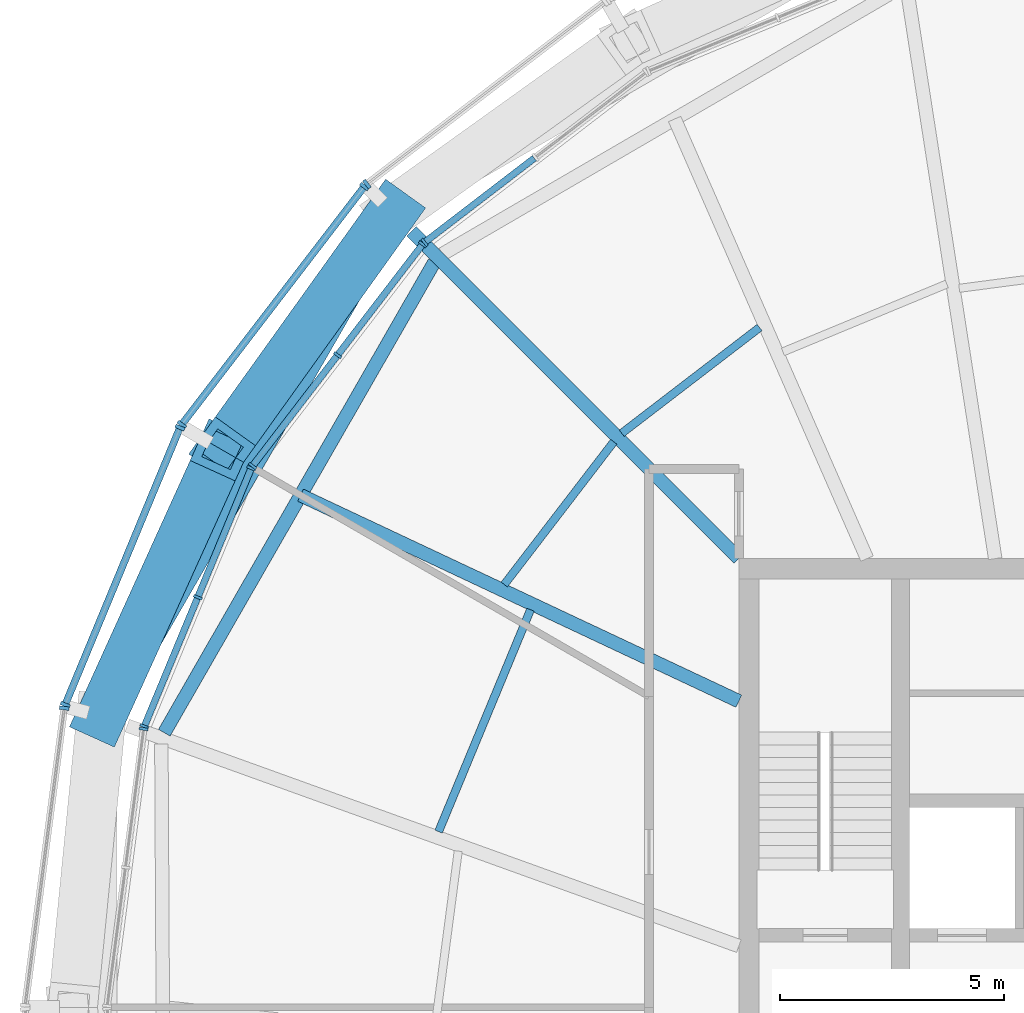
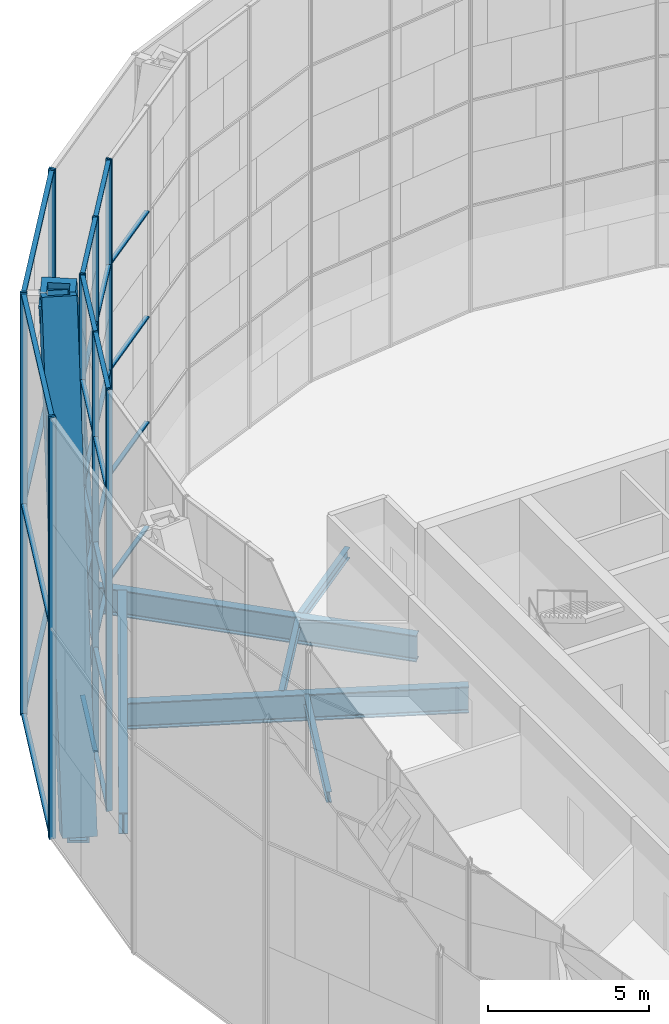
# One storey, part 8 of 30: 46 members, 7 beams, 8 elements without a shape of their own.
"""IFC4 building model written with IfcOpenShell, lengths in metres."""

import ifcopenshell
import ifcopenshell.guid

model = None  # the IFC model being written
_history = None  # IfcOwnerHistory: only IFC2X3 demands one
_inside = {}  # id of a spatial element -> (the spatial element, [elements in it])
_under = {}  # id of a project, library or spatial element -> (it, [spatial elements below it])
_declared = {}  # id of a project -> (the project, [libraries it declares])
_typed = {}  # id of a type object -> (the type object, [elements of that type])
_made_of = {}  # id of a material, layer set ... -> (it, [elements and type objects made of it])


def new_model(schema):
    """Start an empty IFC model of exactly this schema.

    Asked for "IFC4X3", IfcOpenShell would pick the latest addendum, in which some entities
    have other attributes; the version numbers below select the first issue.
    IFC2X3 requires an IfcOwnerHistory on every rooted entity: one is made here for all.
    """
    global model, _history
    if schema == "IFC4X3":
        model = ifcopenshell.file(schema_version=(4, 3, 0, 0))
    else:
        model = ifcopenshell.file(schema=schema)
    _inside.clear()
    _under.clear()
    _declared.clear()
    _typed.clear()
    _made_of.clear()
    _history = None
    if model.schema == "IFC2X3":
        org = make("IfcOrganization", Name="unknown")
        user = make(
            "IfcPersonAndOrganization",
            ThePerson=make("IfcPerson", FamilyName="unknown"),
            TheOrganization=org,
        )
        app = make(
            "IfcApplication",
            ApplicationDeveloper=org,
            Version="unknown",
            ApplicationFullName="unknown",
            ApplicationIdentifier="unknown",
        )
        _history = make(
            "IfcOwnerHistory",
            OwningUser=user,
            OwningApplication=app,
            ChangeAction="ADDED",
            CreationDate=0,
        )
    return model


def make(cls, **values):
    """One entity of the class cls with the attributes given. An attribute that is None is left unset."""
    return model.create_entity(
        cls, **{name: value for name, value in values.items() if value is not None}
    )


def rooted(cls, **values):
    """An entity with a GlobalId (a new one), such as an element, a storey or a relation."""
    return make(cls, GlobalId=ifcopenshell.guid.new(), OwnerHistory=_history, **values)


def si_unit(unit_type, name, prefix=None):
    """IfcSIUnit, for example si_unit("LENGTHUNIT", "METRE", prefix="MILLI")."""
    return make("IfcSIUnit", UnitType=unit_type, Prefix=prefix, Name=name)


def assignment(units):
    """IfcUnitAssignment: the units of a project."""
    return None if units is None else make("IfcUnitAssignment", Units=units)


def point(xyz):
    """IfcCartesianPoint."""
    return None if xyz is None else make("IfcCartesianPoint", Coordinates=xyz)


def direction(xyz):
    """IfcDirection."""
    return None if xyz is None else make("IfcDirection", DirectionRatios=xyz)


def frame(location, z_axis=None, x_axis=None):
    """IfcAxis2Placement3D, a coordinate frame: its origin and axes. An axis left out is left unset."""
    return make(
        "IfcAxis2Placement3D",
        Location=point(location),
        Axis=direction(z_axis),
        RefDirection=direction(x_axis),
    )


def frame_2d(location, x_axis=None):
    """IfcAxis2Placement2D, a coordinate frame in the plane: its origin and x axis."""
    return make(
        "IfcAxis2Placement2D", Location=point(location), RefDirection=direction(x_axis)
    )


def origin():
    """The frame at (0, 0, 0) with its axes left unset."""
    return frame((0.0, 0.0, 0.0))


def origin_2d():
    """The frame at (0, 0) in the plane with its x axis left unset."""
    return frame_2d((0.0, 0.0))


def place(relative_to, where):
    """IfcLocalPlacement: puts the frame where relative to a parent placement (None: the world)."""
    return make(
        "IfcLocalPlacement", PlacementRelTo=relative_to, RelativePlacement=where
    )


def context(
    kind, dimensions, precision=None, world=None, true_north=None, identifier=None
):
    """IfcGeometricRepresentationContext, for example the 3D "Model" context."""
    return make(
        "IfcGeometricRepresentationContext",
        ContextIdentifier=identifier,
        ContextType=kind,
        CoordinateSpaceDimension=dimensions,
        Precision=precision,
        WorldCoordinateSystem=world,
        TrueNorth=true_north,
    )


def subcontext(parent, identifier, kind, view, scale=None):
    """IfcGeometricRepresentationSubContext, for example "Body" below "Model"."""
    return make(
        "IfcGeometricRepresentationSubContext",
        ContextIdentifier=identifier,
        ContextType=kind,
        ParentContext=parent,
        TargetScale=scale,
        TargetView=view,
    )


def project(units=None, contexts=None):
    """IfcProject with its units and contexts."""
    return rooted(
        "IfcProject",
        Name="project",
        RepresentationContexts=contexts,
        UnitsInContext=assignment(units),
    )


def spatial(cls, under=None, at=None, **own):
    """A site, building, storey or space (cls), placed at a placement, below another one or the project."""
    s = rooted(cls, ObjectPlacement=at, **own)
    if under is not None:
        _under.setdefault(under.id(), (under, []))[1].append(s)
    return s


def profile(cls, at=None, kind="AREA", **sizes):
    """A parametric profile (cls). Its sizes go by their IFC names, for example OverallWidth=200.0."""
    return make(cls, ProfileType=kind, Position=at, **sizes)


def rectangle(**sizes):
    """IfcRectangleProfileDef."""
    return profile("IfcRectangleProfileDef", **sizes)


def hollow_rectangle(**sizes):
    """IfcRectangleHollowProfileDef."""
    return profile("IfcRectangleHollowProfileDef", **sizes)


def i_section(**sizes):
    """IfcIShapeProfileDef."""
    return profile("IfcIShapeProfileDef", **sizes)


def extrude(swept, where, along, depth):
    """IfcExtrudedAreaSolid: the profile swept, set in the frame where, extruded along a direction by depth."""
    return make(
        "IfcExtrudedAreaSolid",
        SweptArea=swept,
        Position=where,
        ExtrudedDirection=direction(along),
        Depth=depth,
    )


def shape(context_of_items, identifier, shape_type, items):
    """IfcShapeRepresentation: the items that make up one representation, for example the "Body"."""
    return make(
        "IfcShapeRepresentation",
        ContextOfItems=context_of_items,
        RepresentationIdentifier=identifier,
        RepresentationType=shape_type,
        Items=items,
    )


def material(Name=None, Category=None):
    """IfcMaterial."""
    return make("IfcMaterial", Name=Name, Category=Category)


def material_profile(
    of_material, cross_section, Name=None, Category=None, Priority=None
):
    """IfcMaterialProfile: a cross section and its material."""
    return make(
        "IfcMaterialProfile",
        Name=Name,
        Material=of_material,
        Profile=cross_section,
        Priority=Priority,
        Category=Category,
    )


def profile_set(profiles, Name=None, composite=None):
    """IfcMaterialProfileSet."""
    return make(
        "IfcMaterialProfileSet",
        Name=Name,
        MaterialProfiles=profiles,
        CompositeProfile=composite,
    )


def made_of(thing, what):
    """Note that an element or type object is made of a material, layer set ...; save() writes the relation."""
    if what is not None:
        _made_of.setdefault(what.id(), (what, []))[1].append(thing)
    return thing


def type_object(cls, material=None, **own):
    """A type object (cls), such as IfcWallType, which elements share."""
    return made_of(rooted(cls, **own), material)


def element(
    cls,
    number,
    at=None,
    inside=None,
    cuts=None,
    type_object=None,
    material=None,
    context=None,
    identifier="Body",
    shape_type=None,
    held_by="IfcProductDefinitionShape",
    body=None,
    shapes=None,
    **own,
):
    """One element of the class cls, such as IfcWall. Its Tag is "e" and its number.

    at: its placement. inside: the storey or other place that contains it. cuts: it is an
    opening in that element (IfcRelVoidsElement). A single representation is given by context,
    identifier, shape_type and body (its items); several are given by shapes. held_by: the class
    of the entity that holds the representations. save() writes the other relations.
    """
    e = rooted(cls, Tag="e%d" % number, ObjectPlacement=at, **own)
    if body is not None:
        shapes = [shape(context, identifier, shape_type, body)]
    if shapes is not None:
        e.Representation = make(held_by, Representations=shapes)
    if inside is not None:
        _inside.setdefault(inside.id(), (inside, []))[1].append(e)
    if cuts is not None:
        rooted(
            "IfcRelVoidsElement", RelatingBuildingElement=cuts, RelatedOpeningElement=e
        )
    if type_object is not None:
        _typed.setdefault(type_object.id(), (type_object, []))[1].append(e)
    return made_of(e, material)


def aggregate(whole, parts):
    """IfcRelAggregates: a whole, such as a stair, and the parts it consists of."""
    return rooted("IfcRelAggregates", RelatingObject=whole, RelatedObjects=parts)


def save(model, path):
    """Write the relations noted so far, then the file.

    IfcRelAggregates (storeys below a building ...), IfcRelContainedInSpatialStructure (elements
    in a storey), IfcRelDefinesByType, IfcRelAssociatesMaterial and IfcRelDeclares: one each for
    every whole, place, type object, material and project.
    """
    for whole, parts in _under.values():
        aggregate(whole, parts)
    for where, things in _inside.values():
        rooted(
            "IfcRelContainedInSpatialStructure",
            RelatedElements=things,
            RelatingStructure=where,
        )
    for kind, things in _typed.values():
        rooted("IfcRelDefinesByType", RelatedObjects=things, RelatingType=kind)
    for what, things in _made_of.values():
        rooted("IfcRelAssociatesMaterial", RelatedObjects=things, RelatingMaterial=what)
    for by, libraries in _declared.values():
        rooted("IfcRelDeclares", RelatingContext=by, RelatedDefinitions=libraries)
    model.write(path)


model = new_model("IFC4")

# Units and contexts
model_context = context("Model", 3, precision=1e-05, world=origin(), true_north=direction((0.0, 1.0)))
body_context = subcontext(model_context, "Body", "Model", "MODEL_VIEW")
ifc_project = project(units=[si_unit("LENGTHUNIT", "METRE"), si_unit("AREAUNIT", "SQUARE_METRE"), si_unit("VOLUMEUNIT", "CUBIC_METRE"), si_unit("PLANEANGLEUNIT", "RADIAN"), si_unit("MASSUNIT", "GRAM", prefix="KILO")], contexts=[model_context])

# Site, building, storey
site_placement = place(None, origin())
site = spatial("IfcSite", under=ifc_project, at=site_placement, CompositionType="ELEMENT")
building_placement = place(site_placement, origin())
building = spatial("IfcBuilding", under=site, at=building_placement, Name="Golbaran Civic Tower", CompositionType="ELEMENT")
storey_placement = place(building_placement, frame((0.0, 0.0, 167.0)))
storey = spatial("IfcBuildingStorey", under=building, at=storey_placement, Name="L40", CompositionType="ELEMENT", Elevation=167.0)

# Members
ifc_material_1 = material(Name="Steel S355", Category="steel")
ifc_material_profile_1 = material_profile(ifc_material_1, hollow_rectangle(XDim=1.10009765625, YDim=1.10009765625, WallThickness=0.199951171875, at=origin_2d()), Name="BOX 1100x1100x200")
ifc_profile_set_1 = profile_set([ifc_material_profile_1], Name="Steel S355")
member_type_1 = type_object("IfcMemberType", Name="DIAGRID DIAGONAL BOX 1100x1100x200", PredefinedType="BRACE", material=ifc_profile_set_1)
member_1_placement = place(storey_placement, frame((-17.72216796875, 17.72216796875, -0.7099609375), z_axis=(-0.21971220084, -0.306689856884, 0.926103601379), x_axis=(0.812920273386, -0.582374990121, 0.0)))
element("IfcMember", 1, at=member_1_placement, inside=storey, type_object=member_type_1, Name="Diagonal D09-04R L40-L44", PredefinedType="BRACE", context=body_context, shape_type="SweptSolid", body=[
    extrude(hollow_rectangle(XDim=1.10009765625, YDim=1.10009765625, WallThickness=0.199951171875, at=origin_2d()), origin(), (0.0, 0.0, 1.0), 17.276611328125),
])
member_2_placement = place(storey_placement, frame((-24.208984375, 6.48681640625, -0.7099609375), z_axis=(0.155753672162, 0.343627476497, 0.926099860169), x_axis=(-0.910805936997, 0.412834767347, 0.0)))
element("IfcMember", 2, at=member_2_placement, inside=storey, type_object=member_type_1, Name="Diagonal D09-05L L40-L44", PredefinedType="BRACE", context=body_context, shape_type="SweptSolid", body=[
    extrude(hollow_rectangle(XDim=1.10009765625, YDim=1.10009765625, WallThickness=0.199951171875, at=origin_2d()), origin(), (0.0, 0.0, 1.0), 17.27685546875),
])

# Beams
ifc_material_profile_2 = material_profile(ifc_material_1, hollow_rectangle(XDim=0.699951171875, YDim=0.699951171875, WallThickness=0.080078125, at=origin_2d()), Name="BOX 700x700x80")
ifc_profile_set_2 = profile_set([ifc_material_profile_2], Name="Steel S355")
beam_type_1 = type_object("IfcBeamType", Name="DIAGRID RING TIE BOX 700x700x80", PredefinedType="BEAM", material=ifc_profile_set_2)
beam_1_placement = place(storey_placement, frame((-17.72216796875, 17.72216796875, -0.7099609375), z_axis=(-0.50000480732, -0.866022628259, 0.0), x_axis=(0.866022628259, -0.50000480732, 0.0)))
element("IfcBeam", 3, at=beam_1_placement, inside=storey, type_object=beam_type_1, Name="Ring tie 135.00 L40", PredefinedType="BEAM", context=body_context, shape_type="SweptSolid", body=[
    extrude(hollow_rectangle(XDim=0.699951171875, YDim=0.699951171875, WallThickness=0.080078125, at=origin_2d()), origin(), (0.0, 0.0, 1.0), 12.973388671875),
])
ifc_material_profile_3 = material_profile(ifc_material_1, i_section(OverallWidth=0.300048828125, OverallDepth=0.800048828125, WebThickness=0.017578125, FlangeThickness=0.032958984375, FilletRadius=0.030029296875, at=origin_2d()), Name="HEB 800")
ifc_profile_set_3 = profile_set([ifc_material_profile_3], Name="Steel S355")
beam_type_2 = type_object("IfcBeamType", Name="EDGE BEAM HEB 800", PredefinedType="BEAM", material=ifc_profile_set_3)
beam_2_placement = place(storey_placement, frame((-16.7880859375, 16.604248046875, -0.60009765625), z_axis=(-0.497795229044, -0.867294592363, 0.0), x_axis=(0.867294592363, -0.497795229044, 0.0)))
element("IfcBeam", 4, at=beam_2_placement, inside=storey, type_object=beam_type_2, Name="Edge beam 135.00 L40", PredefinedType="BEAM", context=body_context, shape_type="SweptSolid", body=[
    extrude(i_section(OverallWidth=0.300048828125, OverallDepth=0.800048828125, WebThickness=0.017578125, FlangeThickness=0.032958984375, FilletRadius=0.030029296875, at=origin_2d()), origin(), (0.0, 0.0, 1.0), 12.08935546875),
])
ifc_material_profile_4 = material_profile(ifc_material_1, i_section(OverallWidth=0.179931640625, OverallDepth=0.39990234375, WebThickness=0.008544921875, FlangeThickness=0.013427734375, FilletRadius=0.02099609375, at=origin_2d()), Name="IPE 400")
ifc_profile_set_4 = profile_set([ifc_material_profile_4], Name="Steel S355")
beam_type_3 = type_object("IfcBeamType", Name="FLOOR INFILL BEAM IPE 400", PredefinedType="BEAM", material=ifc_profile_set_4)
beam_3_placement = place(storey_placement, frame((-9.53857421875, 15.150634765625, -0.39990234375), z_axis=(-0.793375902888, -0.608732023732, 0.0), x_axis=(0.608732023732, -0.793375902888, 0.0)))
element("IfcBeam", 5, at=beam_3_placement, inside=storey, type_object=beam_type_3, Name="Infill beam 127.50 L40", PredefinedType="BEAM", context=body_context, shape_type="SweptSolid", body=[
    extrude(i_section(OverallWidth=0.179931640625, OverallDepth=0.39990234375, WebThickness=0.008544921875, FlangeThickness=0.013427734375, FilletRadius=0.02099609375, at=origin_2d()), origin(), (0.0, 0.0, 1.0), 3.87158203125),
])
beam_4_placement = place(storey_placement, frame((-12.787353515625, 12.603515625, -0.39990234375), z_axis=(-0.608780463794, -0.793338734024, 0.0), x_axis=(0.793338734024, -0.608780463794, 0.0)))
element("IfcBeam", 6, at=beam_4_placement, inside=storey, type_object=beam_type_3, Name="Infill beam 142.50 L40", PredefinedType="BEAM", context=body_context, shape_type="SweptSolid", body=[
    extrude(i_section(OverallWidth=0.179931640625, OverallDepth=0.39990234375, WebThickness=0.008544921875, FlangeThickness=0.013427734375, FilletRadius=0.02099609375, at=origin_2d()), origin(), (0.0, 0.0, 1.0), 4.009521484375),
])
beam_5_placement = place(storey_placement, frame((-14.643310546875, 8.860595703125, -0.39990234375), z_axis=(-0.382694171456, -0.923875084161, 0.0), x_axis=(0.923875084161, -0.382694171456, 0.0)))
element("IfcBeam", 7, at=beam_5_placement, inside=storey, type_object=beam_type_3, Name="Infill beam 157.50 L40", PredefinedType="BEAM", context=body_context, shape_type="SweptSolid", body=[
    extrude(i_section(OverallWidth=0.179931640625, OverallDepth=0.39990234375, WebThickness=0.008544921875, FlangeThickness=0.013427734375, FilletRadius=0.02099609375, at=origin_2d()), origin(), (0.0, 0.0, 1.0), 5.35302734375),
])

# Curtain wall, member
ifc_material_2 = material(Name="Aluminium and glass", Category="aluminium")
curtain_wall_type_1 = type_object("IfcCurtainWallType", Name="INNER SKIN CURTAIN WALL EXECUTIVE", PredefinedType="NOTDEFINED", material=ifc_material_2)
curtain_wall_1_placement = place(storey_placement, origin())
curtain_wall_1 = element("IfcCurtainWall", 8, at=curtain_wall_1_placement, inside=storey, type_object=curtain_wall_type_1, Name="Inner skin L40 facet 9 CW2", ObjectType="INNER SKIN", PredefinedType="USERDEFINED")
ifc_material_3 = material(Name="Aluminium", Category="aluminium")
ifc_material_profile_5 = material_profile(ifc_material_3, rectangle(XDim=0.199951171875, YDim=0.06005859375, at=origin_2d()), Name="INNER SKIN CURTAIN WALL EXECUTIVE MULLION")
ifc_profile_set_5 = profile_set([ifc_material_profile_5], Name="Aluminium")
member_type_2 = type_object("IfcMemberType", Name="INNER SKIN CURTAIN WALL EXECUTIVE MULLION", PredefinedType="MULLION", material=ifc_profile_set_5)
member_3_placement = place(storey_placement, frame((-17.00537109375, 17.047607421875, 0.0), z_axis=(0.0, 0.0, 1.0), x_axis=(0.608761429036, -0.79335334027, 0.0)))
member_3 = element("IfcMember", 9, at=member_3_placement, type_object=member_type_2, Name="CW2 mullion 3", PredefinedType="MULLION", context=body_context, shape_type="SweptSolid", body=[
    extrude(rectangle(XDim=0.199951171875, YDim=0.06005859375, at=origin_2d()), origin(), (0.0, 0.0, 1.0), 16.0),
])

# Curtain wall, members
curtain_wall_2_placement = place(storey_placement, origin())
curtain_wall_2 = element("IfcCurtainWall", 10, at=curtain_wall_2_placement, inside=storey, type_object=curtain_wall_type_1, Name="Inner skin L40 facet 10 CW2", ObjectType="INNER SKIN", PredefinedType="USERDEFINED")
member_4_placement = place(storey_placement, frame((-17.047607421875, 17.00537109375, 0.0), z_axis=(0.0, 0.0, 1.0), x_axis=(0.79335334027, -0.608761429036, 0.0)))
member_4 = element("IfcMember", 11, at=member_4_placement, type_object=member_type_2, Name="CW2 mullion 1", PredefinedType="MULLION", context=body_context, shape_type="SweptSolid", body=[
    extrude(rectangle(XDim=0.199951171875, YDim=0.06005859375, at=origin_2d()), origin(), (0.0, 0.0, 1.0), 16.0),
])
member_5_placement = place(storey_placement, frame((-18.94287109375, 14.535400390625, 0.0), z_axis=(0.0, 0.0, 1.0), x_axis=(0.79335334027, -0.608761429036, 0.0)))
member_5 = element("IfcMember", 12, at=member_5_placement, type_object=member_type_2, Name="CW2 mullion 2", PredefinedType="MULLION", context=body_context, shape_type="SweptSolid", body=[
    extrude(rectangle(XDim=0.199951171875, YDim=0.06005859375, at=origin_2d()), origin(), (0.0, 0.0, 1.0), 16.0),
])
member_6_placement = place(storey_placement, frame((-20.838134765625, 12.065185546875, 0.0), z_axis=(0.0, 0.0, 1.0), x_axis=(0.79335334027, -0.608761429036, 0.0)))
member_6 = element("IfcMember", 13, at=member_6_placement, type_object=member_type_2, Name="CW2 mullion 3", PredefinedType="MULLION", context=body_context, shape_type="SweptSolid", body=[
    extrude(rectangle(XDim=0.199951171875, YDim=0.06005859375, at=origin_2d()), origin(), (0.0, 0.0, 1.0), 16.0),
])

curtain_wall_3_placement = place(storey_placement, origin())
curtain_wall_3 = element("IfcCurtainWall", 14, at=curtain_wall_3_placement, inside=storey, type_object=curtain_wall_type_1, Name="Inner skin L40 facet 11 CW2", ObjectType="INNER SKIN", PredefinedType="USERDEFINED")
member_7_placement = place(storey_placement, frame((-20.867919921875, 12.013671875, 0.0), z_axis=(0.0, 0.0, 1.0), x_axis=(0.923879532471, -0.382683432462, 0.0)))
member_7 = element("IfcMember", 15, at=member_7_placement, type_object=member_type_2, Name="CW2 mullion 1", PredefinedType="MULLION", context=body_context, shape_type="SweptSolid", body=[
    extrude(rectangle(XDim=0.199951171875, YDim=0.06005859375, at=origin_2d()), origin(), (0.0, 0.0, 1.0), 16.0),
])
member_8_placement = place(storey_placement, frame((-22.059326171875, 9.13720703125, 0.0), z_axis=(0.0, 0.0, 1.0), x_axis=(0.923879532471, -0.382683432462, 0.0)))
member_8 = element("IfcMember", 16, at=member_8_placement, type_object=member_type_2, Name="CW2 mullion 2", PredefinedType="MULLION", context=body_context, shape_type="SweptSolid", body=[
    extrude(rectangle(XDim=0.199951171875, YDim=0.06005859375, at=origin_2d()), origin(), (0.0, 0.0, 1.0), 16.0),
])
member_9_placement = place(storey_placement, frame((-23.2509765625, 6.2607421875, 0.0), z_axis=(0.0, 0.0, 1.0), x_axis=(0.923879532471, -0.382683432462, 0.0)))
member_9 = element("IfcMember", 17, at=member_9_placement, type_object=member_type_2, Name="CW2 mullion 3", PredefinedType="MULLION", context=body_context, shape_type="SweptSolid", body=[
    extrude(rectangle(XDim=0.199951171875, YDim=0.06005859375, at=origin_2d()), origin(), (0.0, 0.0, 1.0), 16.0),
])

# Curtain wall, member
curtain_wall_4_placement = place(storey_placement, origin())
curtain_wall_4 = element("IfcCurtainWall", 18, at=curtain_wall_4_placement, inside=storey, type_object=curtain_wall_type_1, Name="Inner skin L40 facet 12 CW2", ObjectType="INNER SKIN", PredefinedType="USERDEFINED")
member_10_placement = place(storey_placement, frame((-23.266357421875, 6.203369140625, 0.0), z_axis=(0.0, 0.0, 1.0), x_axis=(0.991444861383, -0.130526192151, 0.0)))
member_10 = element("IfcMember", 19, at=member_10_placement, type_object=member_type_2, Name="CW2 mullion 1", PredefinedType="MULLION", context=body_context, shape_type="SweptSolid", body=[
    extrude(rectangle(XDim=0.199951171875, YDim=0.06005859375, at=origin_2d()), origin(), (0.0, 0.0, 1.0), 16.0),
])
aggregate(curtain_wall_4, [member_10])

# Member
ifc_material_profile_6 = material_profile(ifc_material_3, rectangle(XDim=0.14990234375, YDim=0.06005859375, at=origin_2d()), Name="INNER SKIN CURTAIN WALL EXECUTIVE TRANSOM")
ifc_profile_set_6 = profile_set([ifc_material_profile_6], Name="Aluminium")
member_type_3 = type_object("IfcMemberType", Name="INNER SKIN CURTAIN WALL EXECUTIVE TRANSOM", PredefinedType="USERDEFINED", material=ifc_profile_set_6)
member_11_placement = place(storey_placement, frame((-14.55908203125, 18.924560546875, 0.030029296875), z_axis=(-0.793360510866, -0.60875208402, 0.0), x_axis=(0.60875208402, -0.793360510866, 0.0)))
member_11 = element("IfcMember", 20, at=member_11_placement, type_object=member_type_3, Name="CW2 transom 2.1", ObjectType="TRANSOM", PredefinedType="USERDEFINED", context=body_context, shape_type="SweptSolid", body=[
    extrude(rectangle(XDim=0.14990234375, YDim=0.06005859375, at=origin_2d()), origin(), (0.0, 0.0, 1.0), 3.0537109375),
])

member_12_placement = place(storey_placement, frame((-14.55908203125, 18.924560546875, 4.0), z_axis=(-0.793360510866, -0.60875208402, 0.0), x_axis=(0.60875208402, -0.793360510866, 0.0)))
member_12 = element("IfcMember", 21, at=member_12_placement, type_object=member_type_3, Name="CW2 transom 2.2", ObjectType="TRANSOM", PredefinedType="USERDEFINED", context=body_context, shape_type="SweptSolid", body=[
    extrude(rectangle(XDim=0.14990234375, YDim=0.06005859375, at=origin_2d()), origin(), (0.0, 0.0, 1.0), 3.0537109375),
])

member_13_placement = place(storey_placement, frame((-14.55908203125, 18.924560546875, 8.0), z_axis=(-0.793360510866, -0.60875208402, 0.0), x_axis=(0.60875208402, -0.793360510866, 0.0)))
member_13 = element("IfcMember", 22, at=member_13_placement, type_object=member_type_3, Name="CW2 transom 2.3", ObjectType="TRANSOM", PredefinedType="USERDEFINED", context=body_context, shape_type="SweptSolid", body=[
    extrude(rectangle(XDim=0.14990234375, YDim=0.06005859375, at=origin_2d()), origin(), (0.0, 0.0, 1.0), 3.0537109375),
])

member_14_placement = place(storey_placement, frame((-14.55908203125, 18.924560546875, 12.0), z_axis=(-0.793360510866, -0.60875208402, 0.0), x_axis=(0.60875208402, -0.793360510866, 0.0)))
member_14 = element("IfcMember", 23, at=member_14_placement, type_object=member_type_3, Name="CW2 transom 2.4", ObjectType="TRANSOM", PredefinedType="USERDEFINED", context=body_context, shape_type="SweptSolid", body=[
    extrude(rectangle(XDim=0.14990234375, YDim=0.06005859375, at=origin_2d()), origin(), (0.0, 0.0, 1.0), 3.0537109375),
])

aggregate(curtain_wall_1, [member_3, member_11, member_12, member_13, member_14])

member_15_placement = place(storey_placement, frame((-17.065673828125, 16.981689453125, 0.030029296875), z_axis=(-0.60875208402, -0.793360510866, 0.0), x_axis=(0.793360510866, -0.60875208402, 0.0)))
member_15 = element("IfcMember", 24, at=member_15_placement, type_object=member_type_3, Name="CW2 transom 1.1", ObjectType="TRANSOM", PredefinedType="USERDEFINED", context=body_context, shape_type="SweptSolid", body=[
    extrude(rectangle(XDim=0.14990234375, YDim=0.06005859375, at=origin_2d()), origin(), (0.0, 0.0, 1.0), 3.0537109375),
])

member_16_placement = place(storey_placement, frame((-17.065673828125, 16.981689453125, 4.0), z_axis=(-0.60875208402, -0.793360510866, 0.0), x_axis=(0.793360510866, -0.60875208402, 0.0)))
member_16 = element("IfcMember", 25, at=member_16_placement, type_object=member_type_3, Name="CW2 transom 1.2", ObjectType="TRANSOM", PredefinedType="USERDEFINED", context=body_context, shape_type="SweptSolid", body=[
    extrude(rectangle(XDim=0.14990234375, YDim=0.06005859375, at=origin_2d()), origin(), (0.0, 0.0, 1.0), 3.0537109375),
])

member_17_placement = place(storey_placement, frame((-17.065673828125, 16.981689453125, 8.0), z_axis=(-0.60875208402, -0.793360510866, 0.0), x_axis=(0.793360510866, -0.60875208402, 0.0)))
member_17 = element("IfcMember", 26, at=member_17_placement, type_object=member_type_3, Name="CW2 transom 1.3", ObjectType="TRANSOM", PredefinedType="USERDEFINED", context=body_context, shape_type="SweptSolid", body=[
    extrude(rectangle(XDim=0.14990234375, YDim=0.06005859375, at=origin_2d()), origin(), (0.0, 0.0, 1.0), 3.0537109375),
])

member_18_placement = place(storey_placement, frame((-17.065673828125, 16.981689453125, 12.0), z_axis=(-0.60875208402, -0.793360510866, 0.0), x_axis=(0.793360510866, -0.60875208402, 0.0)))
member_18 = element("IfcMember", 27, at=member_18_placement, type_object=member_type_3, Name="CW2 transom 1.4", ObjectType="TRANSOM", PredefinedType="USERDEFINED", context=body_context, shape_type="SweptSolid", body=[
    extrude(rectangle(XDim=0.14990234375, YDim=0.06005859375, at=origin_2d()), origin(), (0.0, 0.0, 1.0), 3.0537109375),
])

member_19_placement = place(storey_placement, frame((-17.065673828125, 16.981689453125, 15.969970703125), z_axis=(-0.60875208402, -0.793360510866, 0.0), x_axis=(0.793360510866, -0.60875208402, 0.0)))
member_19 = element("IfcMember", 28, at=member_19_placement, type_object=member_type_3, Name="CW2 transom 1.5", ObjectType="TRANSOM", PredefinedType="USERDEFINED", context=body_context, shape_type="SweptSolid", body=[
    extrude(rectangle(XDim=0.14990234375, YDim=0.06005859375, at=origin_2d()), origin(), (0.0, 0.0, 1.0), 3.0537109375),
])

member_20_placement = place(storey_placement, frame((-18.961181640625, 14.511474609375, 0.030029296875), z_axis=(-0.6087906992, -0.793330879625, 0.0), x_axis=(0.793330879625, -0.6087906992, 0.0)))
member_20 = element("IfcMember", 29, at=member_20_placement, type_object=member_type_3, Name="CW2 transom 2.1", ObjectType="TRANSOM", PredefinedType="USERDEFINED", context=body_context, shape_type="SweptSolid", body=[
    extrude(rectangle(XDim=0.14990234375, YDim=0.06005859375, at=origin_2d()), origin(), (0.0, 0.0, 1.0), 3.053466796875),
])

member_21_placement = place(storey_placement, frame((-18.961181640625, 14.511474609375, 4.0), z_axis=(-0.6087906992, -0.793330879625, 0.0), x_axis=(0.793330879625, -0.6087906992, 0.0)))
member_21 = element("IfcMember", 30, at=member_21_placement, type_object=member_type_3, Name="CW2 transom 2.2", ObjectType="TRANSOM", PredefinedType="USERDEFINED", context=body_context, shape_type="SweptSolid", body=[
    extrude(rectangle(XDim=0.14990234375, YDim=0.06005859375, at=origin_2d()), origin(), (0.0, 0.0, 1.0), 3.053466796875),
])

member_22_placement = place(storey_placement, frame((-18.961181640625, 14.511474609375, 8.0), z_axis=(-0.6087906992, -0.793330879625, 0.0), x_axis=(0.793330879625, -0.6087906992, 0.0)))
member_22 = element("IfcMember", 31, at=member_22_placement, type_object=member_type_3, Name="CW2 transom 2.3", ObjectType="TRANSOM", PredefinedType="USERDEFINED", context=body_context, shape_type="SweptSolid", body=[
    extrude(rectangle(XDim=0.14990234375, YDim=0.06005859375, at=origin_2d()), origin(), (0.0, 0.0, 1.0), 3.053466796875),
])

member_23_placement = place(storey_placement, frame((-18.961181640625, 14.511474609375, 12.0), z_axis=(-0.6087906992, -0.793330879625, 0.0), x_axis=(0.793330879625, -0.6087906992, 0.0)))
member_23 = element("IfcMember", 32, at=member_23_placement, type_object=member_type_3, Name="CW2 transom 2.4", ObjectType="TRANSOM", PredefinedType="USERDEFINED", context=body_context, shape_type="SweptSolid", body=[
    extrude(rectangle(XDim=0.14990234375, YDim=0.06005859375, at=origin_2d()), origin(), (0.0, 0.0, 1.0), 3.053466796875),
])

member_24_placement = place(storey_placement, frame((-18.961181640625, 14.511474609375, 15.969970703125), z_axis=(-0.6087906992, -0.793330879625, 0.0), x_axis=(0.793330879625, -0.6087906992, 0.0)))
member_24 = element("IfcMember", 33, at=member_24_placement, type_object=member_type_3, Name="CW2 transom 2.5", ObjectType="TRANSOM", PredefinedType="USERDEFINED", context=body_context, shape_type="SweptSolid", body=[
    extrude(rectangle(XDim=0.14990234375, YDim=0.06005859375, at=origin_2d()), origin(), (0.0, 0.0, 1.0), 3.053466796875),
])

aggregate(curtain_wall_2, [member_4, member_5, member_6, member_15, member_16, member_17, member_18, member_19, member_20, member_21, member_22, member_23, member_24])

member_25_placement = place(storey_placement, frame((-20.87939453125, 11.986083984375, 0.030029296875), z_axis=(-0.382667209253, -0.923886252177, 0.0), x_axis=(0.923886252177, -0.382667209253, 0.0)))
member_25 = element("IfcMember", 34, at=member_25_placement, type_object=member_type_3, Name="CW2 transom 1.1", ObjectType="TRANSOM", PredefinedType="USERDEFINED", context=body_context, shape_type="SweptSolid", body=[
    extrude(rectangle(XDim=0.14990234375, YDim=0.06005859375, at=origin_2d()), origin(), (0.0, 0.0, 1.0), 3.053466796875),
])

member_26_placement = place(storey_placement, frame((-20.87939453125, 11.986083984375, 4.0), z_axis=(-0.382667209253, -0.923886252177, 0.0), x_axis=(0.923886252177, -0.382667209253, 0.0)))
member_26 = element("IfcMember", 35, at=member_26_placement, type_object=member_type_3, Name="CW2 transom 1.2", ObjectType="TRANSOM", PredefinedType="USERDEFINED", context=body_context, shape_type="SweptSolid", body=[
    extrude(rectangle(XDim=0.14990234375, YDim=0.06005859375, at=origin_2d()), origin(), (0.0, 0.0, 1.0), 3.053466796875),
])

member_27_placement = place(storey_placement, frame((-20.87939453125, 11.986083984375, 8.0), z_axis=(-0.382667209253, -0.923886252177, 0.0), x_axis=(0.923886252177, -0.382667209253, 0.0)))
member_27 = element("IfcMember", 36, at=member_27_placement, type_object=member_type_3, Name="CW2 transom 1.3", ObjectType="TRANSOM", PredefinedType="USERDEFINED", context=body_context, shape_type="SweptSolid", body=[
    extrude(rectangle(XDim=0.14990234375, YDim=0.06005859375, at=origin_2d()), origin(), (0.0, 0.0, 1.0), 3.053466796875),
])

member_28_placement = place(storey_placement, frame((-20.87939453125, 11.986083984375, 12.0), z_axis=(-0.382667209253, -0.923886252177, 0.0), x_axis=(0.923886252177, -0.382667209253, 0.0)))
member_28 = element("IfcMember", 37, at=member_28_placement, type_object=member_type_3, Name="CW2 transom 1.4", ObjectType="TRANSOM", PredefinedType="USERDEFINED", context=body_context, shape_type="SweptSolid", body=[
    extrude(rectangle(XDim=0.14990234375, YDim=0.06005859375, at=origin_2d()), origin(), (0.0, 0.0, 1.0), 3.053466796875),
])

member_29_placement = place(storey_placement, frame((-20.87939453125, 11.986083984375, 15.969970703125), z_axis=(-0.382667209253, -0.923886252177, 0.0), x_axis=(0.923886252177, -0.382667209253, 0.0)))
member_29 = element("IfcMember", 38, at=member_29_placement, type_object=member_type_3, Name="CW2 transom 1.5", ObjectType="TRANSOM", PredefinedType="USERDEFINED", context=body_context, shape_type="SweptSolid", body=[
    extrude(rectangle(XDim=0.14990234375, YDim=0.06005859375, at=origin_2d()), origin(), (0.0, 0.0, 1.0), 3.053466796875),
])

member_30_placement = place(storey_placement, frame((-22.07080078125, 9.109619140625, 0.030029296875), z_axis=(-0.382735453435, -0.923857982963, 0.0), x_axis=(0.923857982963, -0.382735453435, 0.0)))
member_30 = element("IfcMember", 39, at=member_30_placement, type_object=member_type_3, Name="CW2 transom 2.1", ObjectType="TRANSOM", PredefinedType="USERDEFINED", context=body_context, shape_type="SweptSolid", body=[
    extrude(rectangle(XDim=0.14990234375, YDim=0.06005859375, at=origin_2d()), origin(), (0.0, 0.0, 1.0), 3.053466796875),
])

member_31_placement = place(storey_placement, frame((-22.07080078125, 9.109619140625, 4.0), z_axis=(-0.382735453435, -0.923857982963, 0.0), x_axis=(0.923857982963, -0.382735453435, 0.0)))
member_31 = element("IfcMember", 40, at=member_31_placement, type_object=member_type_3, Name="CW2 transom 2.2", ObjectType="TRANSOM", PredefinedType="USERDEFINED", context=body_context, shape_type="SweptSolid", body=[
    extrude(rectangle(XDim=0.14990234375, YDim=0.06005859375, at=origin_2d()), origin(), (0.0, 0.0, 1.0), 3.053466796875),
])

member_32_placement = place(storey_placement, frame((-22.07080078125, 9.109619140625, 8.0), z_axis=(-0.382735453435, -0.923857982963, 0.0), x_axis=(0.923857982963, -0.382735453435, 0.0)))
member_32 = element("IfcMember", 41, at=member_32_placement, type_object=member_type_3, Name="CW2 transom 2.3", ObjectType="TRANSOM", PredefinedType="USERDEFINED", context=body_context, shape_type="SweptSolid", body=[
    extrude(rectangle(XDim=0.14990234375, YDim=0.06005859375, at=origin_2d()), origin(), (0.0, 0.0, 1.0), 3.053466796875),
])

member_33_placement = place(storey_placement, frame((-22.07080078125, 9.109619140625, 12.0), z_axis=(-0.382735453435, -0.923857982963, 0.0), x_axis=(0.923857982963, -0.382735453435, 0.0)))
member_33 = element("IfcMember", 42, at=member_33_placement, type_object=member_type_3, Name="CW2 transom 2.4", ObjectType="TRANSOM", PredefinedType="USERDEFINED", context=body_context, shape_type="SweptSolid", body=[
    extrude(rectangle(XDim=0.14990234375, YDim=0.06005859375, at=origin_2d()), origin(), (0.0, 0.0, 1.0), 3.053466796875),
])

member_34_placement = place(storey_placement, frame((-22.07080078125, 9.109619140625, 15.969970703125), z_axis=(-0.382735453435, -0.923857982963, 0.0), x_axis=(0.923857982963, -0.382735453435, 0.0)))
member_34 = element("IfcMember", 43, at=member_34_placement, type_object=member_type_3, Name="CW2 transom 2.5", ObjectType="TRANSOM", PredefinedType="USERDEFINED", context=body_context, shape_type="SweptSolid", body=[
    extrude(rectangle(XDim=0.14990234375, YDim=0.06005859375, at=origin_2d()), origin(), (0.0, 0.0, 1.0), 3.053466796875),
])

aggregate(curtain_wall_3, [member_7, member_8, member_9, member_25, member_26, member_27, member_28, member_29, member_30, member_31, member_32, member_33, member_34])

# Curtain wall, member
curtain_wall_type_2 = type_object("IfcCurtainWallType", Name="OUTER SKIN TERRACOTTA SCREEN", PredefinedType="NOTDEFINED", material=ifc_material_2)
curtain_wall_5_placement = place(storey_placement, origin())
curtain_wall_5 = element("IfcCurtainWall", 44, at=curtain_wall_5_placement, inside=storey, type_object=curtain_wall_type_2, Name="Outer skin L40 facet 9 CW3", ObjectType="OUTER SKIN", PredefinedType="USERDEFINED")
ifc_material_profile_7 = material_profile(ifc_material_3, rectangle(XDim=0.219970703125, YDim=0.080078125, at=origin_2d()), Name="OUTER SKIN TERRACOTTA SCREEN MULLION")
ifc_profile_set_7 = profile_set([ifc_material_profile_7], Name="Aluminium")
member_type_4 = type_object("IfcMemberType", Name="OUTER SKIN TERRACOTTA SCREEN MULLION", PredefinedType="MULLION", material=ifc_profile_set_7)
member_35_placement = place(storey_placement, frame((-18.29150390625, 18.34765625, -0.7099609375), z_axis=(0.0, 0.0, 1.0), x_axis=(0.608761428967, -0.793353340323, 0.0)))
member_35 = element("IfcMember", 45, at=member_35_placement, type_object=member_type_4, Name="CW3 mullion 2", PredefinedType="MULLION", context=body_context, shape_type="SweptSolid", body=[
    extrude(rectangle(XDim=0.219970703125, YDim=0.080078125, at=origin_2d()), origin(), (0.0, 0.0, 1.0), 16.0),
])
aggregate(curtain_wall_5, [member_35])

# Curtain wall, members
curtain_wall_6_placement = place(storey_placement, origin())
curtain_wall_6 = element("IfcCurtainWall", 46, at=curtain_wall_6_placement, inside=storey, type_object=curtain_wall_type_2, Name="Outer skin L40 facet 10 CW3", ObjectType="OUTER SKIN", PredefinedType="USERDEFINED")
member_36_placement = place(storey_placement, frame((-18.34765625, 18.29150390625, -0.7099609375), z_axis=(0.0, 0.0, 1.0), x_axis=(0.793353340323, -0.608761428967, 0.0)))
member_36 = element("IfcMember", 47, at=member_36_placement, type_object=member_type_4, Name="CW3 mullion 1", PredefinedType="MULLION", context=body_context, shape_type="SweptSolid", body=[
    extrude(rectangle(XDim=0.219970703125, YDim=0.080078125, at=origin_2d()), origin(), (0.0, 0.0, 1.0), 16.0),
])
member_37_placement = place(storey_placement, frame((-22.4169921875, 12.98828125, -0.7099609375), z_axis=(0.0, 0.0, 1.0), x_axis=(0.793353340323, -0.608761428967, 0.0)))
member_37 = element("IfcMember", 48, at=member_37_placement, type_object=member_type_4, Name="CW3 mullion 2", PredefinedType="MULLION", context=body_context, shape_type="SweptSolid", body=[
    extrude(rectangle(XDim=0.219970703125, YDim=0.080078125, at=origin_2d()), origin(), (0.0, 0.0, 1.0), 16.0),
])

curtain_wall_7_placement = place(storey_placement, origin())
curtain_wall_7 = element("IfcCurtainWall", 49, at=curtain_wall_7_placement, inside=storey, type_object=curtain_wall_type_2, Name="Outer skin L40 facet 11 CW3", ObjectType="OUTER SKIN", PredefinedType="USERDEFINED")
member_38_placement = place(storey_placement, frame((-22.45654296875, 12.91943359375, -0.7099609375), z_axis=(0.0, 0.0, 1.0), x_axis=(0.923879532471, -0.382683432462, 0.0)))
member_38 = element("IfcMember", 50, at=member_38_placement, type_object=member_type_4, Name="CW3 mullion 1", PredefinedType="MULLION", context=body_context, shape_type="SweptSolid", body=[
    extrude(rectangle(XDim=0.219970703125, YDim=0.080078125, at=origin_2d()), origin(), (0.0, 0.0, 1.0), 16.0),
])
member_39_placement = place(storey_placement, frame((-25.0146484375, 6.74365234375, -0.7099609375), z_axis=(0.0, 0.0, 1.0), x_axis=(0.923879532471, -0.382683432462, 0.0)))
member_39 = element("IfcMember", 51, at=member_39_placement, type_object=member_type_4, Name="CW3 mullion 2", PredefinedType="MULLION", context=body_context, shape_type="SweptSolid", body=[
    extrude(rectangle(XDim=0.219970703125, YDim=0.080078125, at=origin_2d()), origin(), (0.0, 0.0, 1.0), 16.0),
])

# Curtain wall, member
curtain_wall_8_placement = place(storey_placement, origin())
curtain_wall_8 = element("IfcCurtainWall", 52, at=curtain_wall_8_placement, inside=storey, type_object=curtain_wall_type_2, Name="Outer skin L40 facet 12 CW3", ObjectType="OUTER SKIN", PredefinedType="USERDEFINED")
member_40_placement = place(storey_placement, frame((-25.03515625, 6.667236328125, -0.7099609375), z_axis=(0.0, 0.0, 1.0), x_axis=(0.991444861381, -0.130526192168, 0.0)))
member_40 = element("IfcMember", 53, at=member_40_placement, type_object=member_type_4, Name="CW3 mullion 1", PredefinedType="MULLION", context=body_context, shape_type="SweptSolid", body=[
    extrude(rectangle(XDim=0.219970703125, YDim=0.080078125, at=origin_2d()), origin(), (0.0, 0.0, 1.0), 16.0),
])
aggregate(curtain_wall_8, [member_40])

# Member
ifc_material_profile_8 = material_profile(ifc_material_3, rectangle(XDim=0.159912109375, YDim=0.080078125, at=origin_2d()), Name="OUTER SKIN TERRACOTTA SCREEN TRANSOM")
ifc_profile_set_8 = profile_set([ifc_material_profile_8], Name="Aluminium")
member_type_5 = type_object("IfcMemberType", Name="OUTER SKIN TERRACOTTA SCREEN TRANSOM", PredefinedType="USERDEFINED", material=ifc_profile_set_8)
member_41_placement = place(storey_placement, frame((-18.3720703125, 18.259765625, -0.669921875), z_axis=(-0.608752778069, -0.793359978316, 0.0), x_axis=(0.793359978316, -0.608752778069, 0.0)))
member_41 = element("IfcMember", 54, at=member_41_placement, type_object=member_type_5, Name="CW3 transom 1.1", ObjectType="TRANSOM", PredefinedType="USERDEFINED", context=body_context, shape_type="SweptSolid", body=[
    extrude(rectangle(XDim=0.159912109375, YDim=0.080078125, at=origin_2d()), origin(), (0.0, 0.0, 1.0), 6.6044921875),
])

member_42_placement = place(storey_placement, frame((-18.3720703125, 18.259765625, 7.2900390625), z_axis=(-0.608752778069, -0.793359978316, 0.0), x_axis=(0.793359978316, -0.608752778069, 0.0)))
member_42 = element("IfcMember", 55, at=member_42_placement, type_object=member_type_5, Name="CW3 transom 1.2", ObjectType="TRANSOM", PredefinedType="USERDEFINED", context=body_context, shape_type="SweptSolid", body=[
    extrude(rectangle(XDim=0.159912109375, YDim=0.080078125, at=origin_2d()), origin(), (0.0, 0.0, 1.0), 6.6044921875),
])

member_43_placement = place(storey_placement, frame((-18.3720703125, 18.259765625, 15.25), z_axis=(-0.608752778069, -0.793359978316, 0.0), x_axis=(0.793359978316, -0.608752778069, 0.0)))
member_43 = element("IfcMember", 56, at=member_43_placement, type_object=member_type_5, Name="CW3 transom 1.3", ObjectType="TRANSOM", PredefinedType="USERDEFINED", context=body_context, shape_type="SweptSolid", body=[
    extrude(rectangle(XDim=0.159912109375, YDim=0.080078125, at=origin_2d()), origin(), (0.0, 0.0, 1.0), 6.6044921875),
])

aggregate(curtain_wall_6, [member_36, member_37, member_41, member_42, member_43])

member_44_placement = place(storey_placement, frame((-22.471923828125, 12.882568359375, -0.669921875), z_axis=(-0.38270111505, -0.923872207905, 0.0), x_axis=(0.923872207905, -0.38270111505, 0.0)))
member_44 = element("IfcMember", 57, at=member_44_placement, type_object=member_type_5, Name="CW3 transom 1.1", ObjectType="TRANSOM", PredefinedType="USERDEFINED", context=body_context, shape_type="SweptSolid", body=[
    extrude(rectangle(XDim=0.159912109375, YDim=0.080078125, at=origin_2d()), origin(), (0.0, 0.0, 1.0), 6.6044921875),
])

member_45_placement = place(storey_placement, frame((-22.471923828125, 12.882568359375, 7.2900390625), z_axis=(-0.38270111505, -0.923872207905, 0.0), x_axis=(0.923872207905, -0.38270111505, 0.0)))
member_45 = element("IfcMember", 58, at=member_45_placement, type_object=member_type_5, Name="CW3 transom 1.2", ObjectType="TRANSOM", PredefinedType="USERDEFINED", context=body_context, shape_type="SweptSolid", body=[
    extrude(rectangle(XDim=0.159912109375, YDim=0.080078125, at=origin_2d()), origin(), (0.0, 0.0, 1.0), 6.6044921875),
])

member_46_placement = place(storey_placement, frame((-22.471923828125, 12.882568359375, 15.25), z_axis=(-0.38270111505, -0.923872207905, 0.0), x_axis=(0.923872207905, -0.38270111505, 0.0)))
member_46 = element("IfcMember", 59, at=member_46_placement, type_object=member_type_5, Name="CW3 transom 1.3", ObjectType="TRANSOM", PredefinedType="USERDEFINED", context=body_context, shape_type="SweptSolid", body=[
    extrude(rectangle(XDim=0.159912109375, YDim=0.080078125, at=origin_2d()), origin(), (0.0, 0.0, 1.0), 6.6044921875),
])

aggregate(curtain_wall_7, [member_38, member_39, member_44, member_45, member_46])

# Beams
ifc_material_profile_9 = material_profile(ifc_material_1, i_section(OverallWidth=0.300048828125, OverallDepth=1.0, WebThickness=0.01904296875, FlangeThickness=0.035888671875, FilletRadius=0.030029296875, at=origin_2d()), Name="HEB 1000")
ifc_profile_set_9 = profile_set([ifc_material_profile_9], Name="Steel S355")
beam_type_4 = type_object("IfcBeamType", Name="RADIAL FLOOR BEAM HEB 1000", PredefinedType="BEAM", material=ifc_profile_set_9)
beam_6_placement = place(storey_placement, frame((-10.0, 10.0, -0.7099609375), z_axis=(-0.707106781187, 0.707106781187, 0.0), x_axis=(-0.707106781187, -0.707106781187, 0.0)))
element("IfcBeam", 60, at=beam_6_placement, inside=storey, type_object=beam_type_4, Name="Radial beam 135.00 L40", PredefinedType="BEAM", context=body_context, shape_type="SweptSolid", body=[
    extrude(i_section(OverallWidth=0.300048828125, OverallDepth=1.0, WebThickness=0.01904296875, FlangeThickness=0.035888671875, FilletRadius=0.030029296875, at=origin_2d()), origin(), (0.0, 0.0, 1.0), 10.317626953125),
])
ifc_material_profile_10 = material_profile(ifc_material_1, i_section(OverallWidth=0.300048828125, OverallDepth=1.0, WebThickness=0.01904296875, FlangeThickness=0.035888671875, FilletRadius=0.030029296875, at=origin_2d()), Name="HEB 1000")
ifc_profile_set_10 = profile_set([ifc_material_profile_10], Name="Steel S355")
beam_type_5 = type_object("IfcBeamType", Name="SECONDARY FLOOR BEAM HEB 1000", PredefinedType="BEAM", material=ifc_profile_set_10)
beam_7_placement = place(storey_placement, frame((-10.0, 6.821533203125, -0.7099609375), z_axis=(-0.905004194739, 0.425402641628, 0.0), x_axis=(-0.425402641628, -0.905004194739, 0.0)))
element("IfcBeam", 61, at=beam_7_placement, inside=storey, type_object=beam_type_5, Name="Secondary beam 150.00 L40", PredefinedType="BEAM", context=body_context, shape_type="SweptSolid", body=[
    extrude(i_section(OverallWidth=0.300048828125, OverallDepth=1.0, WebThickness=0.01904296875, FlangeThickness=0.035888671875, FilletRadius=0.030029296875, at=origin_2d()), origin(), (0.0, 0.0, 1.0), 10.79296875),
])

save(model, "model.ifc")
